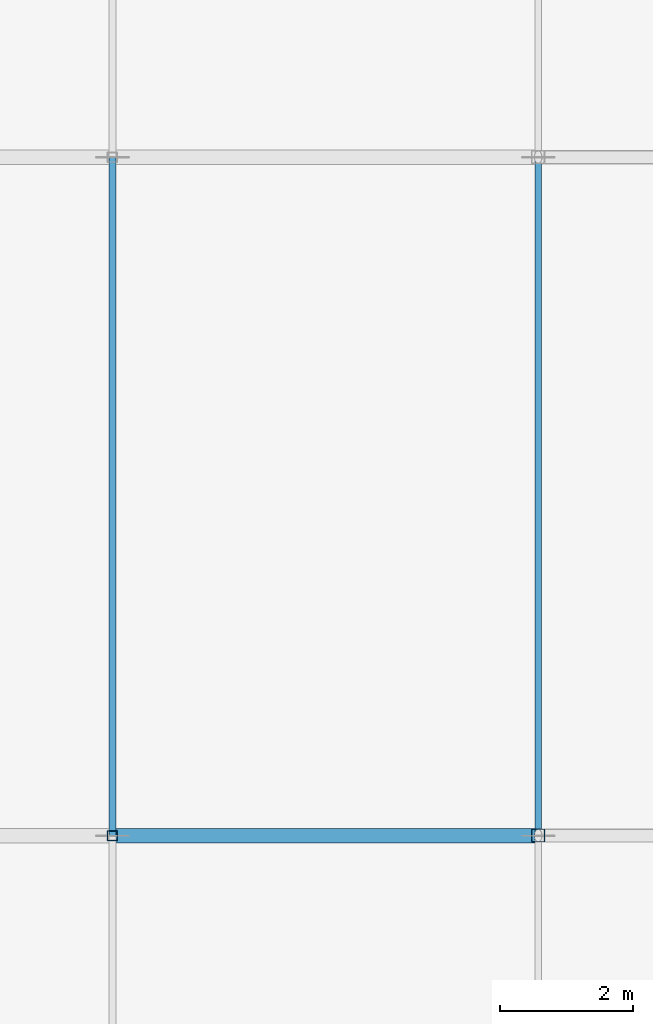
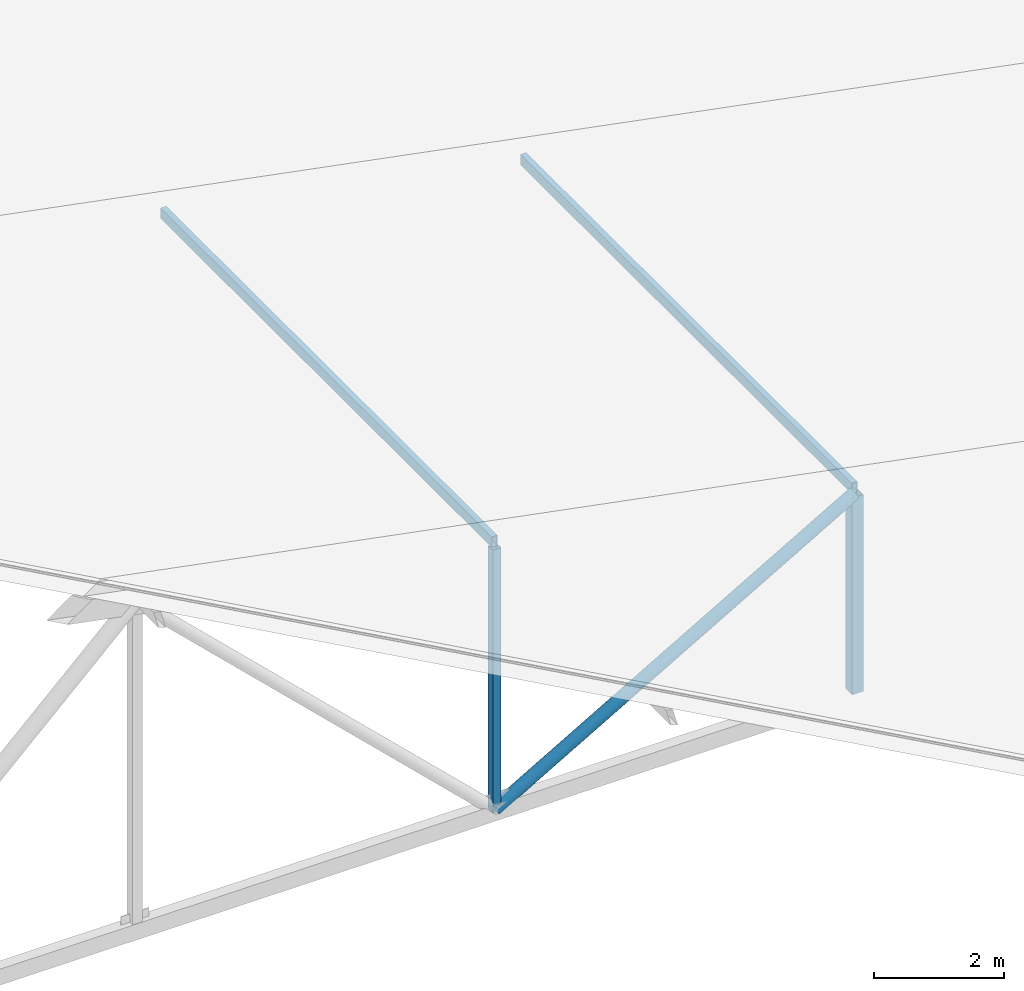
# One storey, part 51 of 200: 5 members.
"""IFC4 building model written with IfcOpenShell, lengths in metres."""

from ifc_helpers import new_model, si_unit, direction, frame, origin, origin_2d, place, context, subcontext, project, spatial, hollow_rectangle, hollow_circle, extrude, material, material_profile, profile_set, type_object, element, save


model = new_model("IFC4")

# Units and contexts
model_context = context("Model", 3, precision=1e-05, world=origin(), true_north=direction((0.0, 1.0)))
body_context = subcontext(model_context, "Body", "Model", "MODEL_VIEW")
ifc_project = project(units=[si_unit("LENGTHUNIT", "METRE"), si_unit("AREAUNIT", "SQUARE_METRE"), si_unit("VOLUMEUNIT", "CUBIC_METRE"), si_unit("PLANEANGLEUNIT", "RADIAN"), si_unit("MASSUNIT", "GRAM", prefix="KILO")], contexts=[model_context])

# Site, building, storey
site_placement = place(None, origin())
site = spatial("IfcSite", under=ifc_project, at=site_placement, CompositionType="ELEMENT")
building_placement = place(site_placement, origin())
building = spatial("IfcBuilding", under=site, at=building_placement, Name="Vondelvale Polytechnic", CompositionType="ELEMENT")
storey_placement = place(building_placement, frame((0.0, 0.0, 13.800048828125)))
storey = spatial("IfcBuildingStorey", under=building, at=storey_placement, Name="L03", CompositionType="ELEMENT", Elevation=13.800048828125)

# Members
ifc_material = material(Name="Steel C350L0 (fy = 350 MPa)", Category="steel")
ifc_material_profile_1 = material_profile(ifc_material, hollow_rectangle(XDim=0.10009765625, YDim=0.199951171875, WallThickness=0.006103515625, at=origin_2d()), Name="200x100x6.0RHS")
ifc_profile_set_1 = profile_set([ifc_material_profile_1], Name="Steel C350L0 (fy = 350 MPa)")
member_type_1 = type_object("IfcMemberType", Name="PURLIN RHS200", PredefinedType="PURLIN", material=ifc_profile_set_1)
for number, where, z_axis, x_axis, name in (
    (1, (22.39990234375, 81.60009765625, 4.614501953125), (0.0, 1.0, 0.0), (-1.0, 0.0, 0.0), "Workshop roof purlin bay 4"),
    (2, (28.800048828125, 81.60009765625, 3.38134765625), (0.0, 1.0, 0.0), (-1.0, 0.0, 0.0), "Workshop roof purlin bay 4"),
):
    element("IfcMember", number, at=place(storey_placement, frame(where, z_axis=z_axis, x_axis=x_axis)), inside=storey, type_object=member_type_1, Name=name, PredefinedType="PURLIN", context=body_context, shape_type="SweptSolid", body=[
        extrude(hollow_rectangle(XDim=0.10009765625, YDim=0.199951171875, WallThickness=0.006103515625, at=origin_2d()), origin(), (0.0, 0.0, 1.0), 10.199951171875),
    ])
ifc_material_profile_2 = material_profile(ifc_material, hollow_circle(Radius=0.109619140625, WallThickness=0.00830078125, at=origin_2d()), Name="219.1x8.2CHS")
ifc_profile_set_2 = profile_set([ifc_material_profile_2], Name="Steel C350L0 (fy = 350 MPa)")
member_type_2 = type_object("IfcMemberType", Name="ROOF TRUSS BRACE 219CHS", PredefinedType="BRACE", material=ifc_profile_set_2)
member_1_placement = place(storey_placement, frame((22.39990234375, 81.60009765625, -0.420166015625), z_axis=(0.865728347066, 0.0, 0.50051416472), x_axis=(0.0, 1.0, 0.0)))
element("IfcMember", 3, at=member_1_placement, inside=storey, type_object=member_type_2, Name="ROOF TRUSS TR-04 web diagonal 5", PredefinedType="BRACE", context=body_context, shape_type="SweptSolid", body=[
    extrude(hollow_circle(Radius=0.109619140625, WallThickness=0.00830078125, at=origin_2d()), origin(), (0.0, 0.0, 1.0), 7.392822265625),
])
ifc_material_profile_3 = material_profile(ifc_material, hollow_rectangle(XDim=0.14990234375, YDim=0.14990234375, WallThickness=0.006103515625, at=origin_2d()), Name="150x150x6.0SHS")
ifc_profile_set_3 = profile_set([ifc_material_profile_3], Name="Steel C350L0 (fy = 350 MPa)")
member_type_3 = type_object("IfcMemberType", Name="ROOF TRUSS POST 150SHS", PredefinedType="POST", material=ifc_profile_set_3)
member_2_placement = place(storey_placement, frame((22.39990234375, 81.60009765625, -0.420166015625), z_axis=(0.0, 0.0, 1.0), x_axis=(1.0, 0.0, 0.0)))
element("IfcMember", 4, at=member_2_placement, inside=storey, type_object=member_type_3, Name="ROOF TRUSS TR-04 vertical post 4", PredefinedType="POST", context=body_context, shape_type="SweptSolid", body=[
    extrude(hollow_rectangle(XDim=0.14990234375, YDim=0.14990234375, WallThickness=0.006103515625, at=origin_2d()), origin(), (0.0, 0.0, 1.0), 4.933349609375),
])
ifc_material_profile_4 = material_profile(ifc_material, hollow_rectangle(XDim=0.199951171875, YDim=0.199951171875, WallThickness=0.009033203125, at=origin_2d()), Name="200x200x9.0SHS")
ifc_profile_set_4 = profile_set([ifc_material_profile_4], Name="Steel C350L0 (fy = 350 MPa)")
member_type_4 = type_object("IfcMemberType", Name="ROOF TRUSS POST 200SHS", PredefinedType="POST", material=ifc_profile_set_4)
member_3_placement = place(storey_placement, frame((28.800048828125, 81.60009765625, -0.420166015625), z_axis=(0.0, 0.0, 1.0), x_axis=(1.0, 0.0, 0.0)))
element("IfcMember", 5, at=member_3_placement, inside=storey, type_object=member_type_4, Name="ROOF TRUSS TR-04 vertical post 5", PredefinedType="POST", context=body_context, shape_type="SweptSolid", body=[
    extrude(hollow_rectangle(XDim=0.199951171875, YDim=0.199951171875, WallThickness=0.009033203125, at=origin_2d()), origin(), (0.0, 0.0, 1.0), 3.7001953125),
])

save(model, "model.ifc")
